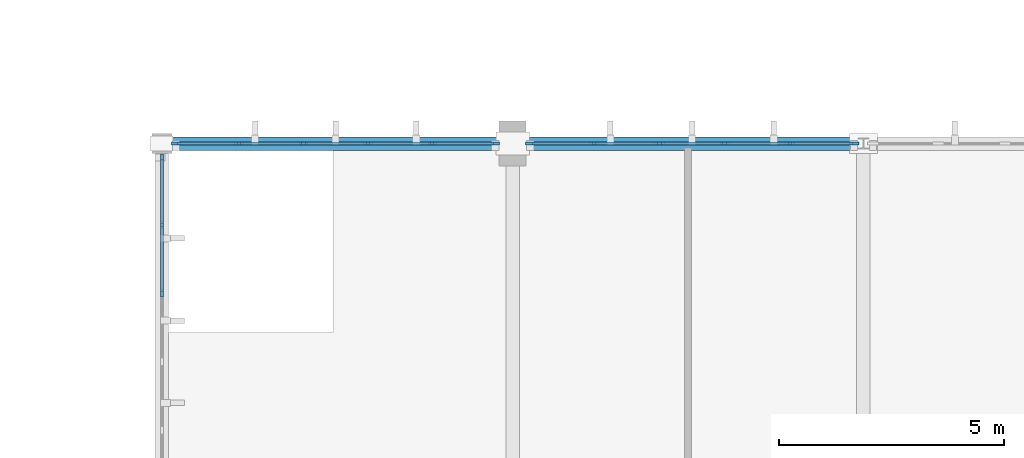
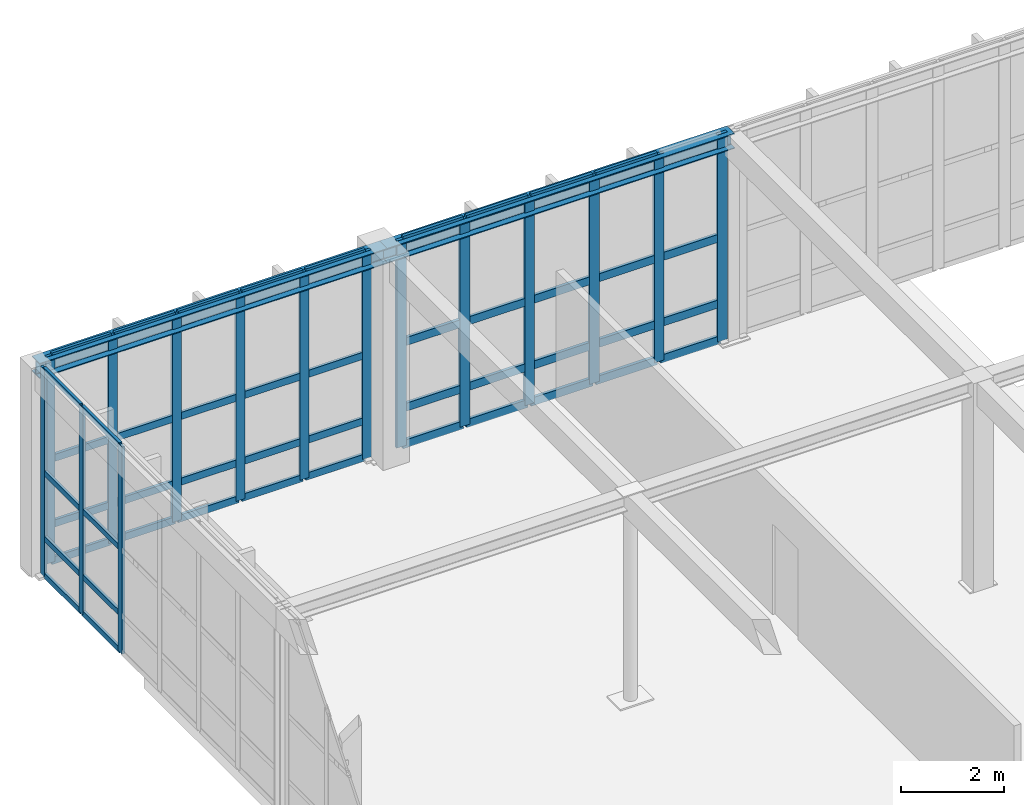
# One storey, part 44 of 110: 62 members, 2 beams, 3 elements without a shape of their own.
"""IFC4 building model written with IfcOpenShell, lengths in metres."""

from ifc_helpers import new_model, si_unit, direction, frame, origin, origin_2d, place, context, subcontext, project, spatial, rectangle, i_section, extrude, material, material_profile, profile_set, type_object, element, aggregate, save


model = new_model("IFC4")

# Units and contexts
model_context = context("Model", 3, precision=1e-05, world=origin(), true_north=direction((0.0, 1.0)))
body_context = subcontext(model_context, "Body", "Model", "MODEL_VIEW")
ifc_project = project(units=[si_unit("LENGTHUNIT", "METRE"), si_unit("AREAUNIT", "SQUARE_METRE"), si_unit("VOLUMEUNIT", "CUBIC_METRE"), si_unit("PLANEANGLEUNIT", "RADIAN"), si_unit("MASSUNIT", "GRAM", prefix="KILO")], contexts=[model_context])

# Site, building, storey
site_placement = place(None, origin())
site = spatial("IfcSite", under=ifc_project, at=site_placement, CompositionType="ELEMENT")
building_placement = place(site_placement, origin())
building = spatial("IfcBuilding", under=site, at=building_placement, Name="Tizgana Railside Sports Hall", CompositionType="ELEMENT")
storey_placement = place(building_placement, origin())
storey = spatial("IfcBuildingStorey", under=building, at=storey_placement, Name="L00", CompositionType="ELEMENT", Elevation=0.0)

# Curtain wall, members
ifc_material_1 = material(Name="Anodised aluminium and glass", Category="aluminium")
curtain_wall_type_1 = type_object("IfcCurtainWallType", Name="Unitised Curtain Wall EastHall 1500", PredefinedType="NOTDEFINED", material=ifc_material_1)
curtain_wall_1_placement = place(storey_placement, origin())
curtain_wall_1 = element("IfcCurtainWall", 1, at=curtain_wall_1_placement, inside=storey, type_object=curtain_wall_type_1, Name="L00 Curtain Wall CW-0151", PredefinedType="NOTDEFINED")
ifc_material_2 = material(Name="Anodised aluminium", Category="aluminium")
ifc_material_profile_1 = material_profile(ifc_material_2, rectangle(XDim=0.06005859375, YDim=0.159912109375, at=origin_2d()), Name="Mullion 60x160")
ifc_profile_set_1 = profile_set([ifc_material_profile_1], Name="Anodised aluminium")
member_type_1 = type_object("IfcMemberType", Name="Mullion 60x160", PredefinedType="MULLION", material=ifc_profile_set_1)
member_1_placement = place(storey_placement, frame((7.800048828125, 98.090087890625, 0.044921875), z_axis=(0.0, 0.0, 1.0), x_axis=(1.0, 0.0, 0.0)))
member_1 = element("IfcMember", 2, at=member_1_placement, type_object=member_type_1, Name="CW-08 mullion 1", PredefinedType="MULLION", context=body_context, shape_type="SweptSolid", body=[
    extrude(rectangle(XDim=0.06005859375, YDim=0.159912109375, at=origin_2d()), origin(), (0.0, 0.0, 1.0), 4.9150390625),
])
member_2_placement = place(storey_placement, frame((7.800048828125, 96.595947265625, 0.044921875), z_axis=(0.0, 0.0, 1.0), x_axis=(1.0, 0.0, 0.0)))
member_2 = element("IfcMember", 3, at=member_2_placement, type_object=member_type_1, Name="CW-08 mullion 2", PredefinedType="MULLION", context=body_context, shape_type="SweptSolid", body=[
    extrude(rectangle(XDim=0.06005859375, YDim=0.159912109375, at=origin_2d()), origin(), (0.0, 0.0, 1.0), 4.9150390625),
])
member_3_placement = place(storey_placement, frame((7.800048828125, 95.07177734375, 0.044921875), z_axis=(0.0, 0.0, 1.0), x_axis=(1.0, 0.0, 0.0)))
member_3 = element("IfcMember", 4, at=member_3_placement, type_object=member_type_1, Name="CW-08 mullion 3", PredefinedType="MULLION", context=body_context, shape_type="SweptSolid", body=[
    extrude(rectangle(XDim=0.06005859375, YDim=0.159912109375, at=origin_2d()), origin(), (0.0, 0.0, 1.0), 4.9150390625),
])

curtain_wall_type_2 = type_object("IfcCurtainWallType", Name="Unitised Curtain Wall Climbing 1600", PredefinedType="NOTDEFINED", material=ifc_material_1)
curtain_wall_2_placement = place(storey_placement, origin())
curtain_wall_2 = element("IfcCurtainWall", 5, at=curtain_wall_2_placement, inside=storey, type_object=curtain_wall_type_2, Name="L00 Curtain Wall CW-0147", PredefinedType="NOTDEFINED")
ifc_material_profile_2 = material_profile(ifc_material_2, rectangle(XDim=0.06494140625, YDim=0.199951171875, at=origin_2d()), Name="Mullion 65x200")
ifc_profile_set_2 = profile_set([ifc_material_profile_2], Name="Anodised aluminium")
member_type_2 = type_object("IfcMemberType", Name="Mullion 65x200", PredefinedType="MULLION", material=ifc_profile_set_2)
member_4_placement = place(storey_placement, frame((8.112548828125, 98.39990234375, 0.044921875), z_axis=(0.0, 0.0, 1.0), x_axis=(0.0, 1.0, 0.0)))
member_4 = element("IfcMember", 6, at=member_4_placement, type_object=member_type_2, Name="CW-04 mullion 1", PredefinedType="MULLION", context=body_context, shape_type="SweptSolid", body=[
    extrude(rectangle(XDim=0.06494140625, YDim=0.199951171875, at=origin_2d()), origin(), (0.0, 0.0, 1.0), 4.9150390625),
])
member_5_placement = place(storey_placement, frame((9.512939453125, 98.39990234375, 0.044921875), z_axis=(0.0, 0.0, 1.0), x_axis=(0.0, 1.0, 0.0)))
member_5 = element("IfcMember", 7, at=member_5_placement, type_object=member_type_2, Name="CW-04 mullion 2", PredefinedType="MULLION", context=body_context, shape_type="SweptSolid", body=[
    extrude(rectangle(XDim=0.06494140625, YDim=0.199951171875, at=origin_2d()), origin(), (0.0, 0.0, 1.0), 4.9150390625),
])
member_6_placement = place(storey_placement, frame((10.946044921875, 98.39990234375, 0.044921875), z_axis=(0.0, 0.0, 1.0), x_axis=(0.0, 1.0, 0.0)))
member_6 = element("IfcMember", 8, at=member_6_placement, type_object=member_type_2, Name="CW-04 mullion 3", PredefinedType="MULLION", context=body_context, shape_type="SweptSolid", body=[
    extrude(rectangle(XDim=0.06494140625, YDim=0.199951171875, at=origin_2d()), origin(), (0.0, 0.0, 1.0), 4.9150390625),
])
member_7_placement = place(storey_placement, frame((12.37890625, 98.39990234375, 0.044921875), z_axis=(0.0, 0.0, 1.0), x_axis=(0.0, 1.0, 0.0)))
member_7 = element("IfcMember", 9, at=member_7_placement, type_object=member_type_2, Name="CW-04 mullion 4", PredefinedType="MULLION", context=body_context, shape_type="SweptSolid", body=[
    extrude(rectangle(XDim=0.06494140625, YDim=0.199951171875, at=origin_2d()), origin(), (0.0, 0.0, 1.0), 4.9150390625),
])
member_8_placement = place(storey_placement, frame((13.81201171875, 98.39990234375, 0.044921875), z_axis=(0.0, 0.0, 1.0), x_axis=(0.0, 1.0, 0.0)))
member_8 = element("IfcMember", 10, at=member_8_placement, type_object=member_type_2, Name="CW-04 mullion 5", PredefinedType="MULLION", context=body_context, shape_type="SweptSolid", body=[
    extrude(rectangle(XDim=0.06494140625, YDim=0.199951171875, at=origin_2d()), origin(), (0.0, 0.0, 1.0), 4.9150390625),
])
member_9_placement = place(storey_placement, frame((15.21240234375, 98.39990234375, 0.044921875), z_axis=(0.0, 0.0, 1.0), x_axis=(0.0, 1.0, 0.0)))
member_9 = element("IfcMember", 11, at=member_9_placement, type_object=member_type_2, Name="CW-04 mullion 6", PredefinedType="MULLION", context=body_context, shape_type="SweptSolid", body=[
    extrude(rectangle(XDim=0.06494140625, YDim=0.199951171875, at=origin_2d()), origin(), (0.0, 0.0, 1.0), 4.9150390625),
])

curtain_wall_type_3 = type_object("IfcCurtainWallType", Name="Unitised Curtain Wall Clinic 1200", PredefinedType="NOTDEFINED", material=ifc_material_1)
curtain_wall_3_placement = place(storey_placement, origin())
curtain_wall_3 = element("IfcCurtainWall", 12, at=curtain_wall_3_placement, inside=storey, type_object=curtain_wall_type_3, Name="L00 Curtain Wall CW-0148", PredefinedType="NOTDEFINED")
ifc_material_profile_3 = material_profile(ifc_material_2, rectangle(XDim=0.070068359375, YDim=0.219970703125, at=origin_2d()), Name="Mullion 70x220")
ifc_profile_set_3 = profile_set([ifc_material_profile_3], Name="Anodised aluminium")
member_type_3 = type_object("IfcMemberType", Name="Mullion 70x220", PredefinedType="MULLION", material=ifc_profile_set_3)
member_10_placement = place(storey_placement, frame((15.989990234375, 98.39990234375, 0.044921875), z_axis=(0.0, 0.0, 1.0), x_axis=(0.0, 1.0, 0.0)))
member_10 = element("IfcMember", 13, at=member_10_placement, type_object=member_type_3, Name="CW-05 mullion 1", PredefinedType="MULLION", context=body_context, shape_type="SweptSolid", body=[
    extrude(rectangle(XDim=0.070068359375, YDim=0.219970703125, at=origin_2d()), origin(), (0.0, 0.0, 1.0), 4.9150390625),
])
member_11_placement = place(storey_placement, frame((17.408935546875, 98.39990234375, 0.044921875), z_axis=(0.0, 0.0, 1.0), x_axis=(0.0, 1.0, 0.0)))
member_11 = element("IfcMember", 14, at=member_11_placement, type_object=member_type_3, Name="CW-05 mullion 2", PredefinedType="MULLION", context=body_context, shape_type="SweptSolid", body=[
    extrude(rectangle(XDim=0.070068359375, YDim=0.219970703125, at=origin_2d()), origin(), (0.0, 0.0, 1.0), 4.9150390625),
])
member_12_placement = place(storey_placement, frame((18.863037109375, 98.39990234375, 0.044921875), z_axis=(0.0, 0.0, 1.0), x_axis=(0.0, 1.0, 0.0)))
member_12 = element("IfcMember", 15, at=member_12_placement, type_object=member_type_3, Name="CW-05 mullion 3", PredefinedType="MULLION", context=body_context, shape_type="SweptSolid", body=[
    extrude(rectangle(XDim=0.070068359375, YDim=0.219970703125, at=origin_2d()), origin(), (0.0, 0.0, 1.0), 4.9150390625),
])
member_13_placement = place(storey_placement, frame((20.31689453125, 98.39990234375, 0.044921875), z_axis=(0.0, 0.0, 1.0), x_axis=(0.0, 1.0, 0.0)))
member_13 = element("IfcMember", 16, at=member_13_placement, type_object=member_type_3, Name="CW-05 mullion 4", PredefinedType="MULLION", context=body_context, shape_type="SweptSolid", body=[
    extrude(rectangle(XDim=0.070068359375, YDim=0.219970703125, at=origin_2d()), origin(), (0.0, 0.0, 1.0), 4.9150390625),
])
member_14_placement = place(storey_placement, frame((21.77099609375, 98.39990234375, 0.044921875), z_axis=(0.0, 0.0, 1.0), x_axis=(0.0, 1.0, 0.0)))
member_14 = element("IfcMember", 17, at=member_14_placement, type_object=member_type_3, Name="CW-05 mullion 5", PredefinedType="MULLION", context=body_context, shape_type="SweptSolid", body=[
    extrude(rectangle(XDim=0.070068359375, YDim=0.219970703125, at=origin_2d()), origin(), (0.0, 0.0, 1.0), 4.9150390625),
])
member_15_placement = place(storey_placement, frame((23.18994140625, 98.39990234375, 0.044921875), z_axis=(0.0, 0.0, 1.0), x_axis=(0.0, 1.0, 0.0)))
member_15 = element("IfcMember", 18, at=member_15_placement, type_object=member_type_3, Name="CW-05 mullion 6", PredefinedType="MULLION", context=body_context, shape_type="SweptSolid", body=[
    extrude(rectangle(XDim=0.070068359375, YDim=0.219970703125, at=origin_2d()), origin(), (0.0, 0.0, 1.0), 4.9150390625),
])

# Beams
ifc_material_3 = material(Name="Steel S355J2", Category="steel")
ifc_material_profile_4 = material_profile(ifc_material_3, i_section(OverallWidth=0.300048828125, OverallDepth=0.360107421875, WebThickness=0.012451171875, FlangeThickness=0.0224609375, FilletRadius=0.027099609375, at=origin_2d()), Name="HEB 360")
ifc_profile_set_4 = profile_set([ifc_material_profile_4], Name="Steel S355J2")
beam_type = type_object("IfcBeamType", Name="Steel Beam HEB 360", PredefinedType="BEAM", material=ifc_profile_set_4)
beam_1_placement = place(storey_placement, frame((7.800048828125, 98.39990234375, 4.77587890625), z_axis=(1.0, 0.0, 0.0), x_axis=(0.0, 1.0, 0.0)))
element("IfcBeam", 19, at=beam_1_placement, inside=storey, type_object=beam_type, Name="L00 BEM-1319", PredefinedType="BEAM", context=body_context, shape_type="SweptSolid", body=[
    extrude(i_section(OverallWidth=0.300048828125, OverallDepth=0.360107421875, WebThickness=0.012451171875, FlangeThickness=0.0224609375, FilletRadius=0.027099609375, at=origin_2d()), origin(), (0.0, 0.0, 1.0), 7.800048828125),
])
beam_2_placement = place(storey_placement, frame((15.60009765625, 98.39990234375, 4.77587890625), z_axis=(1.0, 0.0, 0.0), x_axis=(0.0, 1.0, 0.0)))
element("IfcBeam", 20, at=beam_2_placement, inside=storey, type_object=beam_type, Name="L00 BEM-1323", PredefinedType="BEAM", context=body_context, shape_type="SweptSolid", body=[
    extrude(i_section(OverallWidth=0.300048828125, OverallDepth=0.360107421875, WebThickness=0.012451171875, FlangeThickness=0.0224609375, FilletRadius=0.027099609375, at=origin_2d()), origin(), (0.0, 0.0, 1.0), 7.7998046875),
])

# Member
ifc_material_profile_5 = material_profile(ifc_material_2, rectangle(XDim=0.06005859375, YDim=0.1298828125, at=origin_2d()), Name="Transom 60x130")
ifc_profile_set_5 = profile_set([ifc_material_profile_5], Name="Anodised aluminium")
member_type_4 = type_object("IfcMemberType", Name="Transom 60x130", PredefinedType="USERDEFINED", material=ifc_profile_set_5)
member_16_placement = place(storey_placement, frame((7.800048828125, 98.06005859375, 0.074951171875), z_axis=(0.0, -1.0, 0.0), x_axis=(1.0, 0.0, 0.0)))
member_16 = element("IfcMember", 21, at=member_16_placement, type_object=member_type_4, Name="CW-08 transom 1.1", ObjectType="TRANSOM", PredefinedType="USERDEFINED", context=body_context, shape_type="SweptSolid", body=[
    extrude(rectangle(XDim=0.06005859375, YDim=0.1298828125, at=origin_2d()), origin(), (0.0, 0.0, 1.0), 1.434326171875),
])

member_17_placement = place(storey_placement, frame((7.800048828125, 98.06005859375, 0.945068359375), z_axis=(0.0, -1.0, 0.0), x_axis=(1.0, 0.0, 0.0)))
member_17 = element("IfcMember", 22, at=member_17_placement, type_object=member_type_4, Name="CW-08 transom 1.2", ObjectType="TRANSOM", PredefinedType="USERDEFINED", context=body_context, shape_type="SweptSolid", body=[
    extrude(rectangle(XDim=0.06005859375, YDim=0.1298828125, at=origin_2d()), origin(), (0.0, 0.0, 1.0), 1.434326171875),
])

member_18_placement = place(storey_placement, frame((7.800048828125, 98.06005859375, 2.50244140625), z_axis=(0.0, -1.0, 0.0), x_axis=(1.0, 0.0, 0.0)))
member_18 = element("IfcMember", 23, at=member_18_placement, type_object=member_type_4, Name="CW-08 transom 1.3", ObjectType="TRANSOM", PredefinedType="USERDEFINED", context=body_context, shape_type="SweptSolid", body=[
    extrude(rectangle(XDim=0.06005859375, YDim=0.1298828125, at=origin_2d()), origin(), (0.0, 0.0, 1.0), 1.434326171875),
])

member_19_placement = place(storey_placement, frame((7.800048828125, 98.06005859375, 4.929931640625), z_axis=(0.0, -1.0, 0.0), x_axis=(1.0, 0.0, 0.0)))
member_19 = element("IfcMember", 24, at=member_19_placement, type_object=member_type_4, Name="CW-08 transom 1.4", ObjectType="TRANSOM", PredefinedType="USERDEFINED", context=body_context, shape_type="SweptSolid", body=[
    extrude(rectangle(XDim=0.06005859375, YDim=0.1298828125, at=origin_2d()), origin(), (0.0, 0.0, 1.0), 1.434326171875),
])

member_20_placement = place(storey_placement, frame((7.800048828125, 96.56591796875, 0.074951171875), z_axis=(0.0, -1.0, 0.0), x_axis=(1.0, 0.0, 0.0)))
member_20 = element("IfcMember", 25, at=member_20_placement, type_object=member_type_4, Name="CW-08 transom 2.1", ObjectType="TRANSOM", PredefinedType="USERDEFINED", context=body_context, shape_type="SweptSolid", body=[
    extrude(rectangle(XDim=0.06005859375, YDim=0.1298828125, at=origin_2d()), origin(), (0.0, 0.0, 1.0), 1.46435546875),
])

member_21_placement = place(storey_placement, frame((7.800048828125, 96.56591796875, 0.945068359375), z_axis=(0.0, -1.0, 0.0), x_axis=(1.0, 0.0, 0.0)))
member_21 = element("IfcMember", 26, at=member_21_placement, type_object=member_type_4, Name="CW-08 transom 2.2", ObjectType="TRANSOM", PredefinedType="USERDEFINED", context=body_context, shape_type="SweptSolid", body=[
    extrude(rectangle(XDim=0.06005859375, YDim=0.1298828125, at=origin_2d()), origin(), (0.0, 0.0, 1.0), 1.46435546875),
])

member_22_placement = place(storey_placement, frame((7.800048828125, 96.56591796875, 2.50244140625), z_axis=(0.0, -1.0, 0.0), x_axis=(1.0, 0.0, 0.0)))
member_22 = element("IfcMember", 27, at=member_22_placement, type_object=member_type_4, Name="CW-08 transom 2.3", ObjectType="TRANSOM", PredefinedType="USERDEFINED", context=body_context, shape_type="SweptSolid", body=[
    extrude(rectangle(XDim=0.06005859375, YDim=0.1298828125, at=origin_2d()), origin(), (0.0, 0.0, 1.0), 1.46435546875),
])

member_23_placement = place(storey_placement, frame((7.800048828125, 96.56591796875, 4.929931640625), z_axis=(0.0, -1.0, 0.0), x_axis=(1.0, 0.0, 0.0)))
member_23 = element("IfcMember", 28, at=member_23_placement, type_object=member_type_4, Name="CW-08 transom 2.4", ObjectType="TRANSOM", PredefinedType="USERDEFINED", context=body_context, shape_type="SweptSolid", body=[
    extrude(rectangle(XDim=0.06005859375, YDim=0.1298828125, at=origin_2d()), origin(), (0.0, 0.0, 1.0), 1.46435546875),
])

aggregate(curtain_wall_1, [member_1, member_2, member_3, member_16, member_17, member_18, member_19, member_20, member_21, member_22, member_23])

ifc_material_profile_6 = material_profile(ifc_material_2, rectangle(XDim=0.06494140625, YDim=0.169921875, at=origin_2d()), Name="Transom 65x170")
ifc_profile_set_6 = profile_set([ifc_material_profile_6], Name="Anodised aluminium")
member_type_5 = type_object("IfcMemberType", Name="Transom 65x170", PredefinedType="USERDEFINED", material=ifc_profile_set_6)
member_24_placement = place(storey_placement, frame((8.14501953125, 98.39990234375, 0.077392578125), z_axis=(1.0, 0.0, 0.0), x_axis=(0.0, 1.0, 0.0)))
member_24 = element("IfcMember", 29, at=member_24_placement, type_object=member_type_5, Name="CW-04 transom 1.1", ObjectType="TRANSOM", PredefinedType="USERDEFINED", context=body_context, shape_type="SweptSolid", body=[
    extrude(rectangle(XDim=0.06494140625, YDim=0.169921875, at=origin_2d()), origin(), (0.0, 0.0, 1.0), 1.33544921875),
])

member_25_placement = place(storey_placement, frame((8.14501953125, 98.39990234375, 0.945068359375), z_axis=(1.0, 0.0, 0.0), x_axis=(0.0, 1.0, 0.0)))
member_25 = element("IfcMember", 30, at=member_25_placement, type_object=member_type_5, Name="CW-04 transom 1.2", ObjectType="TRANSOM", PredefinedType="USERDEFINED", context=body_context, shape_type="SweptSolid", body=[
    extrude(rectangle(XDim=0.06494140625, YDim=0.169921875, at=origin_2d()), origin(), (0.0, 0.0, 1.0), 1.33544921875),
])

member_26_placement = place(storey_placement, frame((8.14501953125, 98.39990234375, 2.50244140625), z_axis=(1.0, 0.0, 0.0), x_axis=(0.0, 1.0, 0.0)))
member_26 = element("IfcMember", 31, at=member_26_placement, type_object=member_type_5, Name="CW-04 transom 1.3", ObjectType="TRANSOM", PredefinedType="USERDEFINED", context=body_context, shape_type="SweptSolid", body=[
    extrude(rectangle(XDim=0.06494140625, YDim=0.169921875, at=origin_2d()), origin(), (0.0, 0.0, 1.0), 1.33544921875),
])

member_27_placement = place(storey_placement, frame((8.14501953125, 98.39990234375, 4.927490234375), z_axis=(1.0, 0.0, 0.0), x_axis=(0.0, 1.0, 0.0)))
member_27 = element("IfcMember", 32, at=member_27_placement, type_object=member_type_5, Name="CW-04 transom 1.4", ObjectType="TRANSOM", PredefinedType="USERDEFINED", context=body_context, shape_type="SweptSolid", body=[
    extrude(rectangle(XDim=0.06494140625, YDim=0.169921875, at=origin_2d()), origin(), (0.0, 0.0, 1.0), 1.33544921875),
])

member_28_placement = place(storey_placement, frame((9.54541015625, 98.39990234375, 0.077392578125), z_axis=(1.0, 0.0, 0.0), x_axis=(0.0, 1.0, 0.0)))
member_28 = element("IfcMember", 33, at=member_28_placement, type_object=member_type_5, Name="CW-04 transom 2.1", ObjectType="TRANSOM", PredefinedType="USERDEFINED", context=body_context, shape_type="SweptSolid", body=[
    extrude(rectangle(XDim=0.06494140625, YDim=0.169921875, at=origin_2d()), origin(), (0.0, 0.0, 1.0), 1.3681640625),
])

member_29_placement = place(storey_placement, frame((9.54541015625, 98.39990234375, 0.945068359375), z_axis=(1.0, 0.0, 0.0), x_axis=(0.0, 1.0, 0.0)))
member_29 = element("IfcMember", 34, at=member_29_placement, type_object=member_type_5, Name="CW-04 transom 2.2", ObjectType="TRANSOM", PredefinedType="USERDEFINED", context=body_context, shape_type="SweptSolid", body=[
    extrude(rectangle(XDim=0.06494140625, YDim=0.169921875, at=origin_2d()), origin(), (0.0, 0.0, 1.0), 1.3681640625),
])

member_30_placement = place(storey_placement, frame((9.54541015625, 98.39990234375, 2.50244140625), z_axis=(1.0, 0.0, 0.0), x_axis=(0.0, 1.0, 0.0)))
member_30 = element("IfcMember", 35, at=member_30_placement, type_object=member_type_5, Name="CW-04 transom 2.3", ObjectType="TRANSOM", PredefinedType="USERDEFINED", context=body_context, shape_type="SweptSolid", body=[
    extrude(rectangle(XDim=0.06494140625, YDim=0.169921875, at=origin_2d()), origin(), (0.0, 0.0, 1.0), 1.3681640625),
])

member_31_placement = place(storey_placement, frame((9.54541015625, 98.39990234375, 4.927490234375), z_axis=(1.0, 0.0, 0.0), x_axis=(0.0, 1.0, 0.0)))
member_31 = element("IfcMember", 36, at=member_31_placement, type_object=member_type_5, Name="CW-04 transom 2.4", ObjectType="TRANSOM", PredefinedType="USERDEFINED", context=body_context, shape_type="SweptSolid", body=[
    extrude(rectangle(XDim=0.06494140625, YDim=0.169921875, at=origin_2d()), origin(), (0.0, 0.0, 1.0), 1.3681640625),
])

member_32_placement = place(storey_placement, frame((10.978515625, 98.39990234375, 0.077392578125), z_axis=(1.0, 0.0, 0.0), x_axis=(0.0, 1.0, 0.0)))
member_32 = element("IfcMember", 37, at=member_32_placement, type_object=member_type_5, Name="CW-04 transom 3.1", ObjectType="TRANSOM", PredefinedType="USERDEFINED", context=body_context, shape_type="SweptSolid", body=[
    extrude(rectangle(XDim=0.06494140625, YDim=0.169921875, at=origin_2d()), origin(), (0.0, 0.0, 1.0), 1.367919921875),
])

member_33_placement = place(storey_placement, frame((10.978515625, 98.39990234375, 0.945068359375), z_axis=(1.0, 0.0, 0.0), x_axis=(0.0, 1.0, 0.0)))
member_33 = element("IfcMember", 38, at=member_33_placement, type_object=member_type_5, Name="CW-04 transom 3.2", ObjectType="TRANSOM", PredefinedType="USERDEFINED", context=body_context, shape_type="SweptSolid", body=[
    extrude(rectangle(XDim=0.06494140625, YDim=0.169921875, at=origin_2d()), origin(), (0.0, 0.0, 1.0), 1.367919921875),
])

member_34_placement = place(storey_placement, frame((10.978515625, 98.39990234375, 2.50244140625), z_axis=(1.0, 0.0, 0.0), x_axis=(0.0, 1.0, 0.0)))
member_34 = element("IfcMember", 39, at=member_34_placement, type_object=member_type_5, Name="CW-04 transom 3.3", ObjectType="TRANSOM", PredefinedType="USERDEFINED", context=body_context, shape_type="SweptSolid", body=[
    extrude(rectangle(XDim=0.06494140625, YDim=0.169921875, at=origin_2d()), origin(), (0.0, 0.0, 1.0), 1.367919921875),
])

member_35_placement = place(storey_placement, frame((10.978515625, 98.39990234375, 4.927490234375), z_axis=(1.0, 0.0, 0.0), x_axis=(0.0, 1.0, 0.0)))
member_35 = element("IfcMember", 40, at=member_35_placement, type_object=member_type_5, Name="CW-04 transom 3.4", ObjectType="TRANSOM", PredefinedType="USERDEFINED", context=body_context, shape_type="SweptSolid", body=[
    extrude(rectangle(XDim=0.06494140625, YDim=0.169921875, at=origin_2d()), origin(), (0.0, 0.0, 1.0), 1.367919921875),
])

member_36_placement = place(storey_placement, frame((12.41162109375, 98.39990234375, 0.077392578125), z_axis=(1.0, 0.0, 0.0), x_axis=(0.0, 1.0, 0.0)))
member_36 = element("IfcMember", 41, at=member_36_placement, type_object=member_type_5, Name="CW-04 transom 4.1", ObjectType="TRANSOM", PredefinedType="USERDEFINED", context=body_context, shape_type="SweptSolid", body=[
    extrude(rectangle(XDim=0.06494140625, YDim=0.169921875, at=origin_2d()), origin(), (0.0, 0.0, 1.0), 1.367919921875),
])

member_37_placement = place(storey_placement, frame((12.41162109375, 98.39990234375, 0.945068359375), z_axis=(1.0, 0.0, 0.0), x_axis=(0.0, 1.0, 0.0)))
member_37 = element("IfcMember", 42, at=member_37_placement, type_object=member_type_5, Name="CW-04 transom 4.2", ObjectType="TRANSOM", PredefinedType="USERDEFINED", context=body_context, shape_type="SweptSolid", body=[
    extrude(rectangle(XDim=0.06494140625, YDim=0.169921875, at=origin_2d()), origin(), (0.0, 0.0, 1.0), 1.367919921875),
])

member_38_placement = place(storey_placement, frame((12.41162109375, 98.39990234375, 2.50244140625), z_axis=(1.0, 0.0, 0.0), x_axis=(0.0, 1.0, 0.0)))
member_38 = element("IfcMember", 43, at=member_38_placement, type_object=member_type_5, Name="CW-04 transom 4.3", ObjectType="TRANSOM", PredefinedType="USERDEFINED", context=body_context, shape_type="SweptSolid", body=[
    extrude(rectangle(XDim=0.06494140625, YDim=0.169921875, at=origin_2d()), origin(), (0.0, 0.0, 1.0), 1.367919921875),
])

member_39_placement = place(storey_placement, frame((12.41162109375, 98.39990234375, 4.927490234375), z_axis=(1.0, 0.0, 0.0), x_axis=(0.0, 1.0, 0.0)))
member_39 = element("IfcMember", 44, at=member_39_placement, type_object=member_type_5, Name="CW-04 transom 4.4", ObjectType="TRANSOM", PredefinedType="USERDEFINED", context=body_context, shape_type="SweptSolid", body=[
    extrude(rectangle(XDim=0.06494140625, YDim=0.169921875, at=origin_2d()), origin(), (0.0, 0.0, 1.0), 1.367919921875),
])

member_40_placement = place(storey_placement, frame((13.844482421875, 98.39990234375, 0.077392578125), z_axis=(1.0, 0.0, 0.0), x_axis=(0.0, 1.0, 0.0)))
member_40 = element("IfcMember", 45, at=member_40_placement, type_object=member_type_5, Name="CW-04 transom 5.1", ObjectType="TRANSOM", PredefinedType="USERDEFINED", context=body_context, shape_type="SweptSolid", body=[
    extrude(rectangle(XDim=0.06494140625, YDim=0.169921875, at=origin_2d()), origin(), (0.0, 0.0, 1.0), 1.33544921875),
])

member_41_placement = place(storey_placement, frame((13.844482421875, 98.39990234375, 0.945068359375), z_axis=(1.0, 0.0, 0.0), x_axis=(0.0, 1.0, 0.0)))
member_41 = element("IfcMember", 46, at=member_41_placement, type_object=member_type_5, Name="CW-04 transom 5.2", ObjectType="TRANSOM", PredefinedType="USERDEFINED", context=body_context, shape_type="SweptSolid", body=[
    extrude(rectangle(XDim=0.06494140625, YDim=0.169921875, at=origin_2d()), origin(), (0.0, 0.0, 1.0), 1.33544921875),
])

member_42_placement = place(storey_placement, frame((13.844482421875, 98.39990234375, 2.50244140625), z_axis=(1.0, 0.0, 0.0), x_axis=(0.0, 1.0, 0.0)))
member_42 = element("IfcMember", 47, at=member_42_placement, type_object=member_type_5, Name="CW-04 transom 5.3", ObjectType="TRANSOM", PredefinedType="USERDEFINED", context=body_context, shape_type="SweptSolid", body=[
    extrude(rectangle(XDim=0.06494140625, YDim=0.169921875, at=origin_2d()), origin(), (0.0, 0.0, 1.0), 1.33544921875),
])

member_43_placement = place(storey_placement, frame((13.844482421875, 98.39990234375, 4.927490234375), z_axis=(1.0, 0.0, 0.0), x_axis=(0.0, 1.0, 0.0)))
member_43 = element("IfcMember", 48, at=member_43_placement, type_object=member_type_5, Name="CW-04 transom 5.4", ObjectType="TRANSOM", PredefinedType="USERDEFINED", context=body_context, shape_type="SweptSolid", body=[
    extrude(rectangle(XDim=0.06494140625, YDim=0.169921875, at=origin_2d()), origin(), (0.0, 0.0, 1.0), 1.33544921875),
])

aggregate(curtain_wall_2, [member_4, member_5, member_6, member_7, member_8, member_9, member_24, member_25, member_26, member_27, member_28, member_29, member_30, member_31, member_32, member_33, member_34, member_35, member_36, member_37, member_38, member_39, member_40, member_41, member_42, member_43])

ifc_material_profile_7 = material_profile(ifc_material_2, rectangle(XDim=0.070068359375, YDim=0.18994140625, at=origin_2d()), Name="Transom 70x190")
ifc_profile_set_7 = profile_set([ifc_material_profile_7], Name="Anodised aluminium")
member_type_6 = type_object("IfcMemberType", Name="Transom 70x190", PredefinedType="USERDEFINED", material=ifc_profile_set_7)
member_44_placement = place(storey_placement, frame((16.02490234375, 98.39990234375, 0.080078125), z_axis=(1.0, 0.0, 0.0), x_axis=(0.0, 1.0, 0.0)))
member_44 = element("IfcMember", 49, at=member_44_placement, type_object=member_type_6, Name="CW-05 transom 1.1", ObjectType="TRANSOM", PredefinedType="USERDEFINED", context=body_context, shape_type="SweptSolid", body=[
    extrude(rectangle(XDim=0.070068359375, YDim=0.18994140625, at=origin_2d()), origin(), (0.0, 0.0, 1.0), 1.34912109375),
])

member_45_placement = place(storey_placement, frame((16.02490234375, 98.39990234375, 0.945068359375), z_axis=(1.0, 0.0, 0.0), x_axis=(0.0, 1.0, 0.0)))
member_45 = element("IfcMember", 50, at=member_45_placement, type_object=member_type_6, Name="CW-05 transom 1.2", ObjectType="TRANSOM", PredefinedType="USERDEFINED", context=body_context, shape_type="SweptSolid", body=[
    extrude(rectangle(XDim=0.070068359375, YDim=0.18994140625, at=origin_2d()), origin(), (0.0, 0.0, 1.0), 1.34912109375),
])

member_46_placement = place(storey_placement, frame((16.02490234375, 98.39990234375, 2.50244140625), z_axis=(1.0, 0.0, 0.0), x_axis=(0.0, 1.0, 0.0)))
member_46 = element("IfcMember", 51, at=member_46_placement, type_object=member_type_6, Name="CW-05 transom 1.3", ObjectType="TRANSOM", PredefinedType="USERDEFINED", context=body_context, shape_type="SweptSolid", body=[
    extrude(rectangle(XDim=0.070068359375, YDim=0.18994140625, at=origin_2d()), origin(), (0.0, 0.0, 1.0), 1.34912109375),
])

member_47_placement = place(storey_placement, frame((16.02490234375, 98.39990234375, 4.925048828125), z_axis=(1.0, 0.0, 0.0), x_axis=(0.0, 1.0, 0.0)))
member_47 = element("IfcMember", 52, at=member_47_placement, type_object=member_type_6, Name="CW-05 transom 1.4", ObjectType="TRANSOM", PredefinedType="USERDEFINED", context=body_context, shape_type="SweptSolid", body=[
    extrude(rectangle(XDim=0.070068359375, YDim=0.18994140625, at=origin_2d()), origin(), (0.0, 0.0, 1.0), 1.34912109375),
])

member_48_placement = place(storey_placement, frame((17.444091796875, 98.39990234375, 0.080078125), z_axis=(1.0, 0.0, 0.0), x_axis=(0.0, 1.0, 0.0)))
member_48 = element("IfcMember", 53, at=member_48_placement, type_object=member_type_6, Name="CW-05 transom 2.1", ObjectType="TRANSOM", PredefinedType="USERDEFINED", context=body_context, shape_type="SweptSolid", body=[
    extrude(rectangle(XDim=0.070068359375, YDim=0.18994140625, at=origin_2d()), origin(), (0.0, 0.0, 1.0), 1.3837890625),
])

member_49_placement = place(storey_placement, frame((17.444091796875, 98.39990234375, 0.945068359375), z_axis=(1.0, 0.0, 0.0), x_axis=(0.0, 1.0, 0.0)))
member_49 = element("IfcMember", 54, at=member_49_placement, type_object=member_type_6, Name="CW-05 transom 2.2", ObjectType="TRANSOM", PredefinedType="USERDEFINED", context=body_context, shape_type="SweptSolid", body=[
    extrude(rectangle(XDim=0.070068359375, YDim=0.18994140625, at=origin_2d()), origin(), (0.0, 0.0, 1.0), 1.3837890625),
])

member_50_placement = place(storey_placement, frame((17.444091796875, 98.39990234375, 2.50244140625), z_axis=(1.0, 0.0, 0.0), x_axis=(0.0, 1.0, 0.0)))
member_50 = element("IfcMember", 55, at=member_50_placement, type_object=member_type_6, Name="CW-05 transom 2.3", ObjectType="TRANSOM", PredefinedType="USERDEFINED", context=body_context, shape_type="SweptSolid", body=[
    extrude(rectangle(XDim=0.070068359375, YDim=0.18994140625, at=origin_2d()), origin(), (0.0, 0.0, 1.0), 1.3837890625),
])

member_51_placement = place(storey_placement, frame((17.444091796875, 98.39990234375, 4.925048828125), z_axis=(1.0, 0.0, 0.0), x_axis=(0.0, 1.0, 0.0)))
member_51 = element("IfcMember", 56, at=member_51_placement, type_object=member_type_6, Name="CW-05 transom 2.4", ObjectType="TRANSOM", PredefinedType="USERDEFINED", context=body_context, shape_type="SweptSolid", body=[
    extrude(rectangle(XDim=0.070068359375, YDim=0.18994140625, at=origin_2d()), origin(), (0.0, 0.0, 1.0), 1.3837890625),
])

member_52_placement = place(storey_placement, frame((18.89794921875, 98.39990234375, 0.080078125), z_axis=(1.0, 0.0, 0.0), x_axis=(0.0, 1.0, 0.0)))
member_52 = element("IfcMember", 57, at=member_52_placement, type_object=member_type_6, Name="CW-05 transom 3.1", ObjectType="TRANSOM", PredefinedType="USERDEFINED", context=body_context, shape_type="SweptSolid", body=[
    extrude(rectangle(XDim=0.070068359375, YDim=0.18994140625, at=origin_2d()), origin(), (0.0, 0.0, 1.0), 1.384033203125),
])

member_53_placement = place(storey_placement, frame((18.89794921875, 98.39990234375, 0.945068359375), z_axis=(1.0, 0.0, 0.0), x_axis=(0.0, 1.0, 0.0)))
member_53 = element("IfcMember", 58, at=member_53_placement, type_object=member_type_6, Name="CW-05 transom 3.2", ObjectType="TRANSOM", PredefinedType="USERDEFINED", context=body_context, shape_type="SweptSolid", body=[
    extrude(rectangle(XDim=0.070068359375, YDim=0.18994140625, at=origin_2d()), origin(), (0.0, 0.0, 1.0), 1.384033203125),
])

member_54_placement = place(storey_placement, frame((18.89794921875, 98.39990234375, 2.50244140625), z_axis=(1.0, 0.0, 0.0), x_axis=(0.0, 1.0, 0.0)))
member_54 = element("IfcMember", 59, at=member_54_placement, type_object=member_type_6, Name="CW-05 transom 3.3", ObjectType="TRANSOM", PredefinedType="USERDEFINED", context=body_context, shape_type="SweptSolid", body=[
    extrude(rectangle(XDim=0.070068359375, YDim=0.18994140625, at=origin_2d()), origin(), (0.0, 0.0, 1.0), 1.384033203125),
])

member_55_placement = place(storey_placement, frame((18.89794921875, 98.39990234375, 4.925048828125), z_axis=(1.0, 0.0, 0.0), x_axis=(0.0, 1.0, 0.0)))
member_55 = element("IfcMember", 60, at=member_55_placement, type_object=member_type_6, Name="CW-05 transom 3.4", ObjectType="TRANSOM", PredefinedType="USERDEFINED", context=body_context, shape_type="SweptSolid", body=[
    extrude(rectangle(XDim=0.070068359375, YDim=0.18994140625, at=origin_2d()), origin(), (0.0, 0.0, 1.0), 1.384033203125),
])

member_56_placement = place(storey_placement, frame((20.35205078125, 98.39990234375, 0.080078125), z_axis=(1.0, 0.0, 0.0), x_axis=(0.0, 1.0, 0.0)))
member_56 = element("IfcMember", 61, at=member_56_placement, type_object=member_type_6, Name="CW-05 transom 4.1", ObjectType="TRANSOM", PredefinedType="USERDEFINED", context=body_context, shape_type="SweptSolid", body=[
    extrude(rectangle(XDim=0.070068359375, YDim=0.18994140625, at=origin_2d()), origin(), (0.0, 0.0, 1.0), 1.384033203125),
])

member_57_placement = place(storey_placement, frame((20.35205078125, 98.39990234375, 0.945068359375), z_axis=(1.0, 0.0, 0.0), x_axis=(0.0, 1.0, 0.0)))
member_57 = element("IfcMember", 62, at=member_57_placement, type_object=member_type_6, Name="CW-05 transom 4.2", ObjectType="TRANSOM", PredefinedType="USERDEFINED", context=body_context, shape_type="SweptSolid", body=[
    extrude(rectangle(XDim=0.070068359375, YDim=0.18994140625, at=origin_2d()), origin(), (0.0, 0.0, 1.0), 1.384033203125),
])

member_58_placement = place(storey_placement, frame((20.35205078125, 98.39990234375, 2.50244140625), z_axis=(1.0, 0.0, 0.0), x_axis=(0.0, 1.0, 0.0)))
member_58 = element("IfcMember", 63, at=member_58_placement, type_object=member_type_6, Name="CW-05 transom 4.3", ObjectType="TRANSOM", PredefinedType="USERDEFINED", context=body_context, shape_type="SweptSolid", body=[
    extrude(rectangle(XDim=0.070068359375, YDim=0.18994140625, at=origin_2d()), origin(), (0.0, 0.0, 1.0), 1.384033203125),
])

member_59_placement = place(storey_placement, frame((20.35205078125, 98.39990234375, 4.925048828125), z_axis=(1.0, 0.0, 0.0), x_axis=(0.0, 1.0, 0.0)))
member_59 = element("IfcMember", 64, at=member_59_placement, type_object=member_type_6, Name="CW-05 transom 4.4", ObjectType="TRANSOM", PredefinedType="USERDEFINED", context=body_context, shape_type="SweptSolid", body=[
    extrude(rectangle(XDim=0.070068359375, YDim=0.18994140625, at=origin_2d()), origin(), (0.0, 0.0, 1.0), 1.384033203125),
])

member_60_placement = place(storey_placement, frame((21.805908203125, 98.39990234375, 0.080078125), z_axis=(1.0, 0.0, 0.0), x_axis=(0.0, 1.0, 0.0)))
member_60 = element("IfcMember", 65, at=member_60_placement, type_object=member_type_6, Name="CW-05 transom 5.1", ObjectType="TRANSOM", PredefinedType="USERDEFINED", context=body_context, shape_type="SweptSolid", body=[
    extrude(rectangle(XDim=0.070068359375, YDim=0.18994140625, at=origin_2d()), origin(), (0.0, 0.0, 1.0), 1.34912109375),
])

member_61_placement = place(storey_placement, frame((21.805908203125, 98.39990234375, 0.945068359375), z_axis=(1.0, 0.0, 0.0), x_axis=(0.0, 1.0, 0.0)))
member_61 = element("IfcMember", 66, at=member_61_placement, type_object=member_type_6, Name="CW-05 transom 5.2", ObjectType="TRANSOM", PredefinedType="USERDEFINED", context=body_context, shape_type="SweptSolid", body=[
    extrude(rectangle(XDim=0.070068359375, YDim=0.18994140625, at=origin_2d()), origin(), (0.0, 0.0, 1.0), 1.34912109375),
])

member_62_placement = place(storey_placement, frame((21.805908203125, 98.39990234375, 2.50244140625), z_axis=(1.0, 0.0, 0.0), x_axis=(0.0, 1.0, 0.0)))
member_62 = element("IfcMember", 67, at=member_62_placement, type_object=member_type_6, Name="CW-05 transom 5.3", ObjectType="TRANSOM", PredefinedType="USERDEFINED", context=body_context, shape_type="SweptSolid", body=[
    extrude(rectangle(XDim=0.070068359375, YDim=0.18994140625, at=origin_2d()), origin(), (0.0, 0.0, 1.0), 1.34912109375),
])

aggregate(curtain_wall_3, [member_10, member_11, member_12, member_13, member_14, member_15, member_44, member_45, member_46, member_47, member_48, member_49, member_50, member_51, member_52, member_53, member_54, member_55, member_56, member_57, member_58, member_59, member_60, member_61, member_62])

save(model, "model.ifc")
